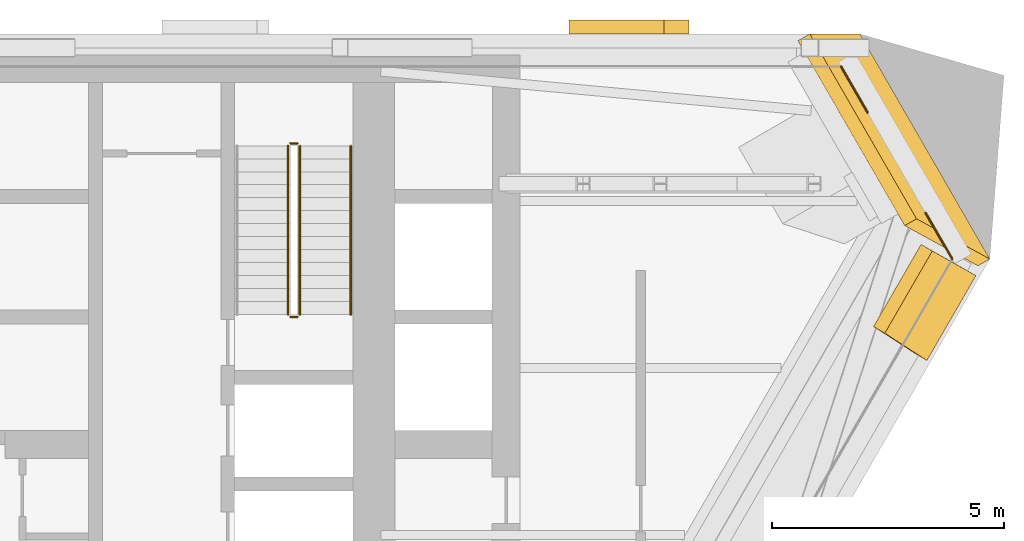
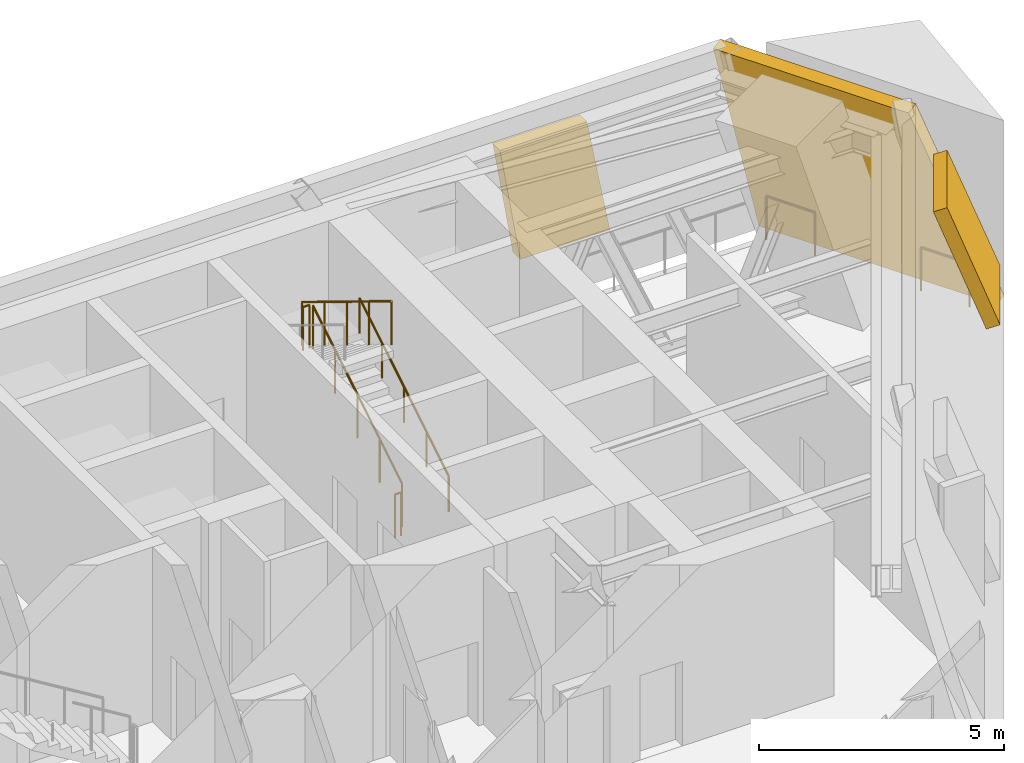
# One storey, part 12 of 12: 7 railings, 2 shading devices, 1 covering.
"""IFC4 building model written with IfcOpenShell, lengths in metres."""

from ifc_helpers import new_model, si_unit, direction, frame, origin, origin_2d, place, context, subcontext, project, spatial, polyline, circle, outline, extrude, material, layer, layer_set, type_object, element, save


model = new_model("IFC4")

# Units and contexts
model_context = context("Model", 3, precision=1e-05, world=origin(), true_north=direction((0.0, 1.0)))
body_context = subcontext(model_context, "Body", "Model", "MODEL_VIEW")
ifc_project = project(units=[si_unit("LENGTHUNIT", "METRE"), si_unit("AREAUNIT", "SQUARE_METRE"), si_unit("VOLUMEUNIT", "CUBIC_METRE"), si_unit("PLANEANGLEUNIT", "RADIAN"), si_unit("MASSUNIT", "GRAM", prefix="KILO")], contexts=[model_context])

# Site, building, storey
site_placement = place(None, origin())
site = spatial("IfcSite", under=ifc_project, at=site_placement, CompositionType="ELEMENT")
building_placement = place(site_placement, origin())
building = spatial("IfcBuilding", under=site, at=building_placement, Name="Aloe Facet Convention Tower", CompositionType="ELEMENT")
storey_placement = place(building_placement, frame((0.0, 0.0, 123.800048828125)))
storey = spatial("IfcBuildingStorey", under=building, at=storey_placement, Name="L31", CompositionType="ELEMENT", Elevation=123.800048828125)

# Railings
ifc_material_1 = material(Name="Steel S355 balustrade", Category="steel")
railing_type_1 = type_object("IfcRailingType", Name="CR-RL-GUARD", PredefinedType="GUARDRAIL", material=ifc_material_1)
railing_1_placement = place(storey_placement, frame((89.25, 128.949951171875, 0.17138671875)))
element("IfcRailing", 1, at=railing_1_placement, inside=storey, type_object=railing_type_1, Name="L31 ST2 stair guard 1", PredefinedType="GUARDRAIL", context=body_context, shape_type="SweptSolid", body=[
    extrude(circle(Radius=0.02392578125, at=origin_2d()), frame((0.0, 0.0, 1.076171875), z_axis=(0.0, 0.852865859571, 0.52213008492), x_axis=(-1.0, 0.0, 0.0)), (0.0, 0.0, 1.0), 4.26806640625),
    extrude(circle(Radius=0.02099609375, at=origin_2d()), origin(), (0.0, 0.0, 1.0), 1.052001953125),
    extrude(circle(Radius=0.02099609375, at=origin_2d()), frame((0.0, 0.91015625, 0.55712890625)), (0.0, 0.0, 1.0), 1.052001953125),
    extrude(circle(Radius=0.02099609375, at=origin_2d()), frame((0.0, 1.820068359375, 1.1142578125)), (0.0, 0.0, 1.0), 1.052001953125),
    extrude(circle(Radius=0.02099609375, at=origin_2d()), frame((0.0, 2.72998046875, 1.67138671875)), (0.0, 0.0, 1.0), 1.052001953125),
    extrude(circle(Radius=0.02099609375, at=origin_2d()), frame((0.0, 3.64013671875, 2.228515625)), (0.0, 0.0, 1.0), 1.052001953125),
])
railing_2_placement = place(storey_placement, frame((89.199951171875, 132.639892578125, 2.39990234375)))
element("IfcRailing", 2, at=railing_2_placement, inside=storey, type_object=railing_type_1, Name="L31 ST2 stair guard 2", PredefinedType="GUARDRAIL", context=body_context, shape_type="SweptSolid", body=[
    extrude(circle(Radius=0.02392578125, at=origin_2d()), frame((0.0, 0.0, 1.076171875), z_axis=(-1.0, 0.0, 0.0), x_axis=(0.0, -1.0, 0.0)), (0.0, 0.0, 1.0), 0.14990234375),
    extrude(circle(Radius=0.02099609375, at=origin_2d()), origin(), (0.0, 0.0, 1.0), 1.052001953125),
    extrude(circle(Radius=0.02099609375, at=origin_2d()), frame((-0.14990234375, 0.0, 0.0)), (0.0, 0.0, 1.0), 1.052001953125),
])
railing_3_placement = place(storey_placement, frame((89.0, 132.590087890625, 2.5712890625)))
element("IfcRailing", 3, at=railing_3_placement, inside=storey, type_object=railing_type_1, Name="L31 ST2 stair guard 3", PredefinedType="GUARDRAIL", context=body_context, shape_type="SweptSolid", body=[
    extrude(circle(Radius=0.02392578125, at=origin_2d()), frame((0.0, 0.0, 1.076171875), z_axis=(0.0, -0.852840387347, 0.522171689878), x_axis=(1.0, 0.0, 0.0)), (0.0, 0.0, 1.0), 4.268310546875),
    extrude(circle(Radius=0.02099609375, at=origin_2d()), origin(), (0.0, 0.0, 1.0), 1.052001953125),
    extrude(circle(Radius=0.02099609375, at=origin_2d()), frame((0.0, -0.91015625, 0.55712890625)), (0.0, 0.0, 1.0), 1.052001953125),
    extrude(circle(Radius=0.02099609375, at=origin_2d()), frame((0.0, -1.820068359375, 1.1142578125)), (0.0, 0.0, 1.0), 1.052001953125),
    extrude(circle(Radius=0.02099609375, at=origin_2d()), frame((0.0, -2.72998046875, 1.671630859375)), (0.0, 0.0, 1.0), 1.052001953125),
    extrude(circle(Radius=0.02099609375, at=origin_2d()), frame((0.0, -3.64013671875, 2.228759765625)), (0.0, 0.0, 1.0), 1.052001953125),
])
railing_4_placement = place(storey_placement, frame((89.199951171875, 128.89990234375, 0.0)))
element("IfcRailing", 4, at=railing_4_placement, inside=storey, type_object=railing_type_1, Name="L31 ST2 stair guard 4", PredefinedType="GUARDRAIL", context=body_context, shape_type="SweptSolid", body=[
    extrude(circle(Radius=0.02392578125, at=origin_2d()), frame((0.0, 0.0, 1.076171875), z_axis=(-1.0, 0.0, 0.0), x_axis=(0.0, -1.0, 0.0)), (0.0, 0.0, 1.0), 0.14990234375),
    extrude(circle(Radius=0.02099609375, at=origin_2d()), origin(), (0.0, 0.0, 1.0), 1.052001953125),
    extrude(circle(Radius=0.02099609375, at=origin_2d()), frame((-0.14990234375, 0.0, 0.0)), (0.0, 0.0, 1.0), 1.052001953125),
])
ifc_material_2 = material(Name="Steel S355 handrail", Category="steel")
railing_type_2 = type_object("IfcRailingType", Name="CR-RL-HAND", PredefinedType="HANDRAIL", material=ifc_material_2)
railing_5_placement = place(storey_placement, frame((90.35009765625, 128.949951171875, 0.17138671875)))
element("IfcRailing", 5, at=railing_5_placement, inside=storey, type_object=railing_type_2, Name="L31 ST2 stair handrail 1", PredefinedType="HANDRAIL", context=body_context, shape_type="SweptSolid", body=[
    extrude(circle(Radius=0.02392578125, at=origin_2d()), frame((0.0, 0.0, 0.8759765625), z_axis=(0.0, 0.852865859571, 0.52213008492), x_axis=(-1.0, 0.0, 0.0)), (0.0, 0.0, 1.0), 4.26806640625),
    extrude(circle(Radius=0.02099609375, at=origin_2d()), origin(), (0.0, 0.0, 1.0), 0.851806640625),
    extrude(circle(Radius=0.02099609375, at=origin_2d()), frame((0.0, 0.91015625, 0.55712890625)), (0.0, 0.0, 1.0), 0.851806640625),
    extrude(circle(Radius=0.02099609375, at=origin_2d()), frame((0.0, 1.820068359375, 1.1142578125)), (0.0, 0.0, 1.0), 0.851806640625),
    extrude(circle(Radius=0.02099609375, at=origin_2d()), frame((0.0, 2.72998046875, 1.67138671875)), (0.0, 0.0, 1.0), 0.851806640625),
    extrude(circle(Radius=0.02099609375, at=origin_2d()), frame((0.0, 3.64013671875, 2.228515625)), (0.0, 0.0, 1.0), 0.851806640625),
])

# Covering
ifc_material_3 = material(Name="Granite cladding, bronze anchors", Category="masonry")
ifc_layer_1 = layer(ifc_material_3, 0.300048828125)
ifc_layer_set_1 = layer_set([ifc_layer_1], Name="EV-CLAD-STONE")
covering_type = type_object("IfcCoveringType", Name="EV-CLAD-STONE", PredefinedType="CLADDING", material=ifc_layer_set_1)
covering_placement = place(storey_placement, frame((104.12158203125, 130.150146484375, 0.0), z_axis=(0.850090066796, 0.490783577616, 0.190993084369), x_axis=(-0.499988034222, 0.866032312116, 2.224886e-06)))
element("IfcCovering", 6, at=covering_placement, inside=storey, type_object=covering_type, Name="CLADDING L31-C", PredefinedType="CLADDING", context=body_context, shape_type="SweptSolid", body=[
    extrude(outline(polyline([(0.0, 0.0), (5.600120762862941, 0.0), (6.139303109210289, 4.890054309408856), (1.5394650918332495, 4.89007742874679), (0.0, 0.0)])), origin(), (0.0, 0.0, -1.0), 0.300048828125),
])

# Railings
ifc_material_4 = material(Name="Steel S355", Category="steel")
railing_type_3 = type_object("IfcRailingType", Name="EV-GUARD-PORTAL", PredefinedType="GUARDRAIL", material=ifc_material_4)
railing_6_placement = place(storey_placement, frame((100.91748046875, 134.300048828125, 0.0)))
element("IfcRailing", 7, at=railing_6_placement, inside=storey, type_object=railing_type_3, Name="GUARD L31-1", PredefinedType="GUARDRAIL", context=body_context, shape_type="SweptSolid", body=[
    extrude(circle(Radius=0.02392578125, at=origin_2d()), frame((0.0, 0.0, 1.076171875), z_axis=(0.499851564186, -0.866111086282, 0.0), x_axis=(0.866111086282, 0.499851564186, 0.0)), (0.0, 0.0, 1.0), 1.145751953125),
    extrude(circle(Radius=0.02099609375, at=origin_2d()), origin(), (0.0, 0.0, 1.0), 1.052001953125),
    extrude(circle(Radius=0.02099609375, at=origin_2d()), frame((0.57275390625, -0.992431640625, 0.0)), (0.0, 0.0, 1.0), 1.052001953125),
])
railing_7_placement = place(storey_placement, frame((102.740234375, 131.142578125, 0.0)))
element("IfcRailing", 8, at=railing_7_placement, inside=storey, type_object=railing_type_3, Name="GUARD L31-2", PredefinedType="GUARDRAIL", context=body_context, shape_type="SweptSolid", body=[
    extrude(circle(Radius=0.02392578125, at=origin_2d()), frame((0.0, 0.0, 1.076171875), z_axis=(0.500011369369, -0.866018839577, 0.0), x_axis=(0.866018839577, 0.500011369369, 0.0)), (0.0, 0.0, 1.0), 1.14599609375),
    extrude(circle(Radius=0.02099609375, at=origin_2d()), origin(), (0.0, 0.0, 1.0), 1.052001953125),
    extrude(circle(Radius=0.02099609375, at=origin_2d()), frame((0.572998046875, -0.992431640625, 0.0)), (0.0, 0.0, 1.0), 1.052001953125),
])

# Shading devices
ifc_material_5 = material(Name="Aluminium, anodised", Category="aluminium")
ifc_layer_2 = layer(ifc_material_5, 0.300048828125)
ifc_layer_set_2 = layer_set([ifc_layer_2], Name="EV-LOUVRE-BELT")
shading_device_type = type_object("IfcShadingDeviceType", Name="EV-LOUVRE-BELT", PredefinedType="JALOUSIE", material=ifc_layer_set_2)
shading_device_1_placement = place(storey_placement, frame((97.638427734375, 135.300048828125, 0.9599609375), z_axis=(0.0, 1.0, 0.0), x_axis=(-1.0, 0.0, 0.0)))
element("IfcShadingDevice", 9, at=shading_device_1_placement, inside=storey, type_object=shading_device_type, Name="LOUVRE L31-N02", PredefinedType="JALOUSIE", context=body_context, shape_type="SweptSolid", body=[
    extrude(outline(polyline([(0.0, 0.0), (2.110595703125, 0.0), (2.586669921875, 2.8798828125), (0.540771484375, 2.8798828125), (0.0, 0.0)])), origin(), (0.0, 0.0, -1.0), 0.300048828125),
])
shading_device_2_placement = place(storey_placement, frame((102.767578125, 127.963623046875, 1.065185546875), z_axis=(0.810861372131, -0.468212905172, 0.351113244718), x_axis=(0.500053673722, 0.865994412936, -1.2668477e-05)))
element("IfcShadingDevice", 10, at=shading_device_2_placement, inside=storey, type_object=shading_device_type, Name="LOUVRE L31-E14", PredefinedType="JALOUSIE", context=body_context, shape_type="SweptSolid", body=[
    extrude(outline(polyline([(0.0, 0.0), (2.1104897965674527, 0.0), (2.100792453757258, 3.0759927965065677), (0.05495594311934812, 3.07593656189408), (0.0, 0.0)])), origin(), (0.0, 0.0, -1.0), 0.300048828125),
])

save(model, "model.ifc")
